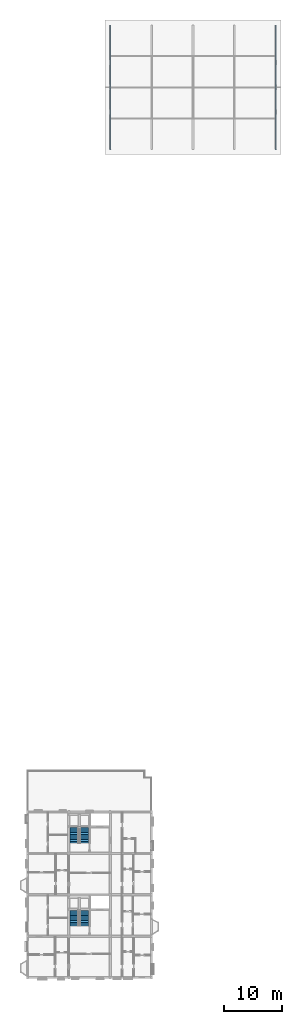
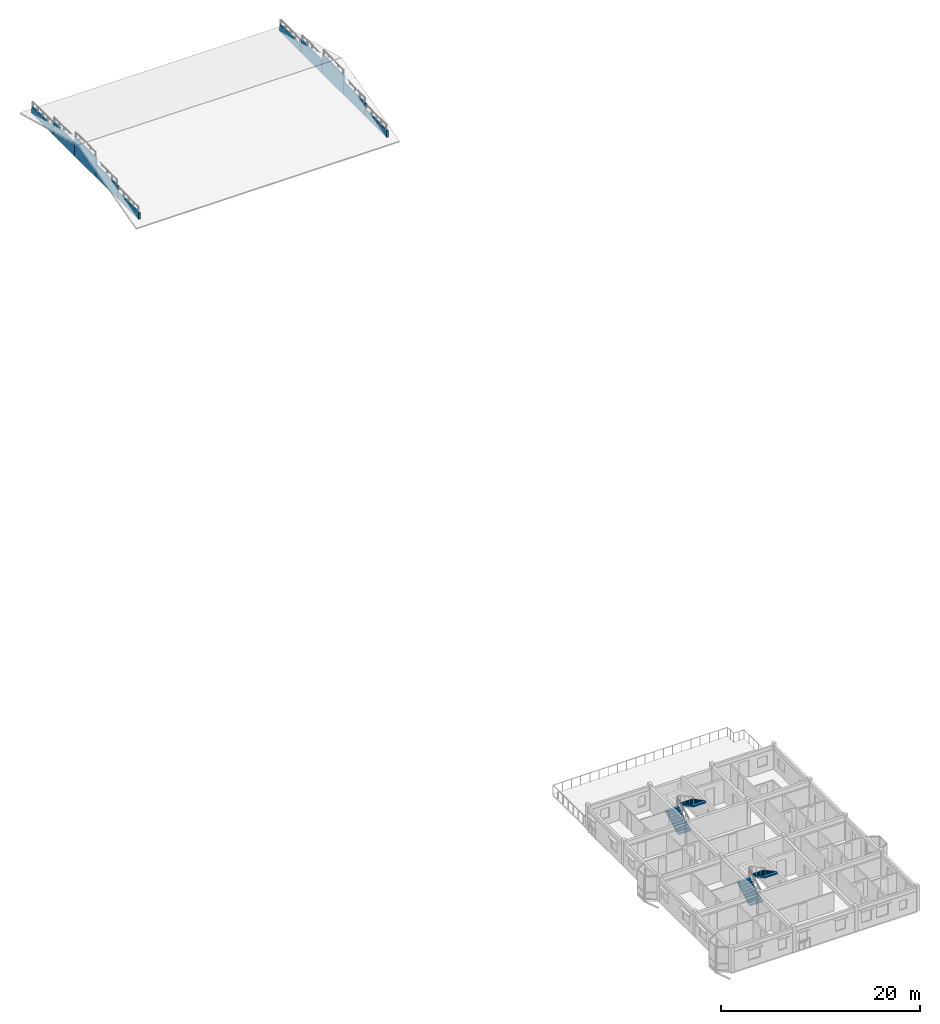
# One storey, part 20 of 22: 10 walls, 4 stair flights, 2 elements without a shape of their own.
"""IFC4 building model written with IfcOpenShell, lengths in metres."""

from ifc_helpers import new_model, si_unit, direction, frame, frame_2d, origin, place, context, subcontext, project, spatial, polyline, rectangle, outline, extrude, material, layer, layer_set, type_object, element, aggregate, save


model = new_model("IFC4")

# Units and contexts
model_context = context("Model", 3, precision=1e-05, world=origin(), true_north=direction((0.0, 1.0)))
body_context = subcontext(model_context, "Body", "Model", "MODEL_VIEW")
ifc_project = project(units=[si_unit("LENGTHUNIT", "METRE"), si_unit("AREAUNIT", "SQUARE_METRE"), si_unit("VOLUMEUNIT", "CUBIC_METRE"), si_unit("PLANEANGLEUNIT", "RADIAN"), si_unit("MASSUNIT", "GRAM", prefix="KILO"), si_unit("THERMODYNAMICTEMPERATUREUNIT", "KELVIN"), si_unit("POWERUNIT", "WATT")], contexts=[model_context])

# Site, building, storey
site_placement = place(None, origin())
site = spatial("IfcSite", under=ifc_project, at=site_placement, CompositionType="ELEMENT")
building_placement = place(site_placement, origin())
building = spatial("IfcBuilding", under=site, at=building_placement, Name="Tavuni Mirador Residences", CompositionType="ELEMENT")
storey_placement = place(building_placement, frame((0.0, 0.0, 45.449951171875)))
storey = spatial("IfcBuildingStorey", under=building, at=storey_placement, Name="L14", CompositionType="ELEMENT", Elevation=45.449951171875)

# Walls
ifc_material = material(Name="Precast concrete C40/50", Category="concrete")
ifc_layer = layer(ifc_material, 0.18994140625, Name="Precast concrete C40/50", Category="concrete")
ifc_layer_set = layer_set([ifc_layer], Name="Precast concrete C40/50")
wall_type = type_object("IfcWallType", Name="WT-PAR190", PredefinedType="PARAPET", material=ifc_layer_set)
wall_1_placement = place(storey_placement, frame((18.0, 151.199951171875, 0.0), z_axis=(0.0, 0.0, 1.0), x_axis=(0.0, 1.0, 0.0)))
element("IfcWall", 1, at=wall_1_placement, inside=storey, type_object=wall_type, Name="PAR-BLKC-W-1", PredefinedType="PARAPET", context=body_context, shape_type="SweptSolid", body=[
    extrude(rectangle(XDim=4.320068359375, YDim=0.18994140625, at=frame_2d((2.16015625, 0.0))), origin(), (0.0, 0.0, 1.0), 0.85009765625),
])
wall_2_placement = place(storey_placement, frame((18.0, 155.52001953125, 0.0), z_axis=(0.0, 0.0, 1.0), x_axis=(0.0, 1.0, 0.0)))
element("IfcWall", 2, at=wall_2_placement, inside=storey, type_object=wall_type, Name="PAR-BLKC-W-2", PredefinedType="PARAPET", context=body_context, shape_type="SweptSolid", body=[
    extrude(rectangle(XDim=4.320068359375, YDim=0.18994140625, at=frame_2d((2.16015625, 0.0))), origin(), (0.0, 0.0, 1.0), 1.550048828125),
])
wall_3_placement = place(storey_placement, frame((18.0, 159.840087890625, 0.0), z_axis=(0.0, 0.0, 1.0), x_axis=(0.0, 1.0, 0.0)))
element("IfcWall", 3, at=wall_3_placement, inside=storey, type_object=wall_type, Name="PAR-BLKC-W-3", PredefinedType="PARAPET", context=body_context, shape_type="SweptSolid", body=[
    extrude(rectangle(XDim=4.31982421875, YDim=0.18994140625, at=frame_2d((2.159912109375, 0.0))), origin(), (0.0, 0.0, 1.0), 2.35009765625),
])
wall_4_placement = place(storey_placement, frame((18.0, 164.159912109375, 0.0), z_axis=(0.0, 0.0, 1.0), x_axis=(0.0, 1.0, 0.0)))
element("IfcWall", 4, at=wall_4_placement, inside=storey, type_object=wall_type, Name="PAR-BLKC-W-4", PredefinedType="PARAPET", context=body_context, shape_type="SweptSolid", body=[
    extrude(rectangle(XDim=4.320068359375, YDim=0.18994140625, at=frame_2d((2.16015625, 0.0))), origin(), (0.0, 0.0, 1.0), 1.550048828125),
])
for number, where, z_axis, x_axis, name in (
    (5, (18.0, 168.47998046875, 0.0), (0.0, 0.0, 1.0), (0.0, 1.0, 0.0), "PAR-BLKC-W-5"),
    (6, (46.800048828125, 151.199951171875, 0.0), (0.0, 0.0, 1.0), (0.0, 1.0, 0.0), "PAR-BLKC-E-1"),
):
    element("IfcWall", number, at=place(storey_placement, frame(where, z_axis=z_axis, x_axis=x_axis)), inside=storey, type_object=wall_type, Name=name, PredefinedType="PARAPET", context=body_context, shape_type="SweptSolid", body=[
        extrude(rectangle(XDim=4.320068359375, YDim=0.18994140625, at=frame_2d((2.16015625, 0.0))), origin(), (0.0, 0.0, 1.0), 0.85009765625),
    ])
wall_5_placement = place(storey_placement, frame((46.800048828125, 155.52001953125, 0.0), z_axis=(0.0, 0.0, 1.0), x_axis=(0.0, 1.0, 0.0)))
element("IfcWall", 7, at=wall_5_placement, inside=storey, type_object=wall_type, Name="PAR-BLKC-E-2", PredefinedType="PARAPET", context=body_context, shape_type="SweptSolid", body=[
    extrude(rectangle(XDim=4.320068359375, YDim=0.18994140625, at=frame_2d((2.16015625, 0.0))), origin(), (0.0, 0.0, 1.0), 1.550048828125),
])
wall_6_placement = place(storey_placement, frame((46.800048828125, 159.840087890625, 0.0), z_axis=(0.0, 0.0, 1.0), x_axis=(0.0, 1.0, 0.0)))
element("IfcWall", 8, at=wall_6_placement, inside=storey, type_object=wall_type, Name="PAR-BLKC-E-3", PredefinedType="PARAPET", context=body_context, shape_type="SweptSolid", body=[
    extrude(rectangle(XDim=4.31982421875, YDim=0.18994140625, at=frame_2d((2.159912109375, 0.0))), origin(), (0.0, 0.0, 1.0), 2.35009765625),
])
wall_7_placement = place(storey_placement, frame((46.800048828125, 164.159912109375, 0.0), z_axis=(0.0, 0.0, 1.0), x_axis=(0.0, 1.0, 0.0)))
element("IfcWall", 9, at=wall_7_placement, inside=storey, type_object=wall_type, Name="PAR-BLKC-E-4", PredefinedType="PARAPET", context=body_context, shape_type="SweptSolid", body=[
    extrude(rectangle(XDim=4.320068359375, YDim=0.18994140625, at=frame_2d((2.16015625, 0.0))), origin(), (0.0, 0.0, 1.0), 1.550048828125),
])
wall_8_placement = place(storey_placement, frame((46.800048828125, 168.47998046875, 0.0), z_axis=(0.0, 0.0, 1.0), x_axis=(0.0, 1.0, 0.0)))
element("IfcWall", 10, at=wall_8_placement, inside=storey, type_object=wall_type, Name="PAR-BLKC-E-5", PredefinedType="PARAPET", context=body_context, shape_type="SweptSolid", body=[
    extrude(rectangle(XDim=4.320068359375, YDim=0.18994140625, at=frame_2d((2.16015625, 0.0))), origin(), (0.0, 0.0, 1.0), 0.85009765625),
])

# Stair, stair flights
stair_type = type_object("IfcStairType", Name="STT-TYP", PredefinedType="HALF_TURN_STAIR", material=ifc_material)
stair_1_placement = place(storey_placement, origin())
stair_1 = element("IfcStair", 11, at=stair_1_placement, inside=storey, type_object=stair_type, Name="Protected exit stair ST1 (L14)", PredefinedType="HALF_TURN_STAIR")
stair_flight_type = type_object("IfcStairFlightType", Name="SFT-1500", PredefinedType="STRAIGHT", material=ifc_material)
stair_flight_1_placement = place(storey_placement, frame((11.75, 16.199951171875, 0.0), z_axis=(0.0, 0.0, 1.0), x_axis=(0.0, 1.0, 0.0)))
stair_flight_1 = element("IfcStairFlight", 12, at=stair_flight_1_placement, type_object=stair_flight_type, Name="ST1 flight 1", NumberOfRisers=10, NumberOfTreads=9, PredefinedType="STRAIGHT", RiserHeight=0.1575, TreadLength=0.3, context=body_context, shape_type="SweptSolid", body=[
    extrude(outline(polyline([(0.0, 0.0), (0.0, 0.157470703125), (0.300048828125, 0.157470703125), (0.300048828125, 0.31494140625), (0.60009765625, 0.31494140625), (0.60009765625, 0.472412109375), (0.89990234375, 0.472412109375), (0.89990234375, 0.6298828125), (1.199951171875, 0.6298828125), (1.199951171875, 0.78759765625), (1.5, 0.78759765625), (1.5, 0.945068359375), (1.800048828125, 0.945068359375), (1.800048828125, 1.1025390625), (2.10009765625, 1.1025390625), (2.10009765625, 1.260009765625), (2.39990234375, 1.260009765625), (2.39990234375, 1.41748046875), (2.699951171875, 1.41748046875), (2.699951171875, 1.574951171875), (2.699951171875, 1.23681640625), (0.343994140625, 0.0), (0.0, 0.0)])), frame((0.0, 0.75, 0.0), z_axis=(0.0, -1.0, 0.0), x_axis=(1.0, 0.0, 0.0)), (0.0, 0.0, 1.0), 1.5),
])
stair_flight_2_placement = place(storey_placement, frame((13.449951171875, 18.89990234375, 1.574951171875), z_axis=(0.0, 0.0, 1.0), x_axis=(0.0, -1.0, 0.0)))
stair_flight_2 = element("IfcStairFlight", 13, at=stair_flight_2_placement, type_object=stair_flight_type, Name="ST1 flight 2", NumberOfRisers=10, NumberOfTreads=9, PredefinedType="STRAIGHT", RiserHeight=0.1575, TreadLength=0.3, context=body_context, shape_type="SweptSolid", body=[
    extrude(outline(polyline([(0.0, 0.0), (0.0, 0.157470703125), (0.300048828125, 0.157470703125), (0.300048828125, 0.31494140625), (0.60009765625, 0.31494140625), (0.60009765625, 0.472412109375), (0.89990234375, 0.472412109375), (0.89990234375, 0.6298828125), (1.199951171875, 0.6298828125), (1.199951171875, 0.78759765625), (1.5, 0.78759765625), (1.5, 0.945068359375), (1.800048828125, 0.945068359375), (1.800048828125, 1.1025390625), (2.10009765625, 1.1025390625), (2.10009765625, 1.260009765625), (2.39990234375, 1.260009765625), (2.39990234375, 1.41748046875), (2.699951171875, 1.41748046875), (2.699951171875, 1.574951171875), (2.699951171875, 1.23681640625), (0.343994140625, 0.0), (0.0, 0.0)])), frame((0.0, 0.75, 0.0), z_axis=(0.0, -1.0, 0.0), x_axis=(1.0, 0.0, 0.0)), (0.0, 0.0, 1.0), 1.5),
])
aggregate(stair_1, [stair_flight_1, stair_flight_2])

stair_2_placement = place(storey_placement, origin())
stair_2 = element("IfcStair", 14, at=stair_2_placement, inside=storey, type_object=stair_type, Name="Protected exit stair ST2 (L14)", PredefinedType="HALF_TURN_STAIR")
stair_flight_3_placement = place(storey_placement, frame((11.75, 30.60009765625, 0.0), z_axis=(0.0, 0.0, 1.0), x_axis=(0.0, 1.0, 0.0)))
stair_flight_3 = element("IfcStairFlight", 15, at=stair_flight_3_placement, type_object=stair_flight_type, Name="ST2 flight 1", NumberOfRisers=10, NumberOfTreads=9, PredefinedType="STRAIGHT", RiserHeight=0.1575, TreadLength=0.3, context=body_context, shape_type="SweptSolid", body=[
    extrude(outline(polyline([(0.0, 0.0), (0.0, 0.157470703125), (0.300048828125, 0.157470703125), (0.300048828125, 0.31494140625), (0.60009765625, 0.31494140625), (0.60009765625, 0.472412109375), (0.89990234375, 0.472412109375), (0.89990234375, 0.6298828125), (1.199951171875, 0.6298828125), (1.199951171875, 0.78759765625), (1.5, 0.78759765625), (1.5, 0.945068359375), (1.800048828125, 0.945068359375), (1.800048828125, 1.1025390625), (2.10009765625, 1.1025390625), (2.10009765625, 1.260009765625), (2.39990234375, 1.260009765625), (2.39990234375, 1.41748046875), (2.699951171875, 1.41748046875), (2.699951171875, 1.574951171875), (2.699951171875, 1.23681640625), (0.343994140625, 0.0), (0.0, 0.0)])), frame((0.0, 0.75, 0.0), z_axis=(0.0, -1.0, 0.0), x_axis=(1.0, 0.0, 0.0)), (0.0, 0.0, 1.0), 1.5),
])
stair_flight_4_placement = place(storey_placement, frame((13.449951171875, 33.300048828125, 1.574951171875), z_axis=(0.0, 0.0, 1.0), x_axis=(0.0, -1.0, 0.0)))
stair_flight_4 = element("IfcStairFlight", 16, at=stair_flight_4_placement, type_object=stair_flight_type, Name="ST2 flight 2", NumberOfRisers=10, NumberOfTreads=9, PredefinedType="STRAIGHT", RiserHeight=0.1575, TreadLength=0.3, context=body_context, shape_type="SweptSolid", body=[
    extrude(outline(polyline([(0.0, 0.0), (0.0, 0.157470703125), (0.300048828125, 0.157470703125), (0.300048828125, 0.31494140625), (0.60009765625, 0.31494140625), (0.60009765625, 0.472412109375), (0.89990234375, 0.472412109375), (0.89990234375, 0.6298828125), (1.199951171875, 0.6298828125), (1.199951171875, 0.78759765625), (1.5, 0.78759765625), (1.5, 0.945068359375), (1.800048828125, 0.945068359375), (1.800048828125, 1.1025390625), (2.10009765625, 1.1025390625), (2.10009765625, 1.260009765625), (2.39990234375, 1.260009765625), (2.39990234375, 1.41748046875), (2.699951171875, 1.41748046875), (2.699951171875, 1.574951171875), (2.699951171875, 1.23681640625), (0.343994140625, 0.0), (0.0, 0.0)])), frame((0.0, 0.75, 0.0), z_axis=(0.0, -1.0, 0.0), x_axis=(1.0, 0.0, 0.0)), (0.0, 0.0, 1.0), 1.5),
])
aggregate(stair_2, [stair_flight_3, stair_flight_4])

save(model, "model.ifc")
